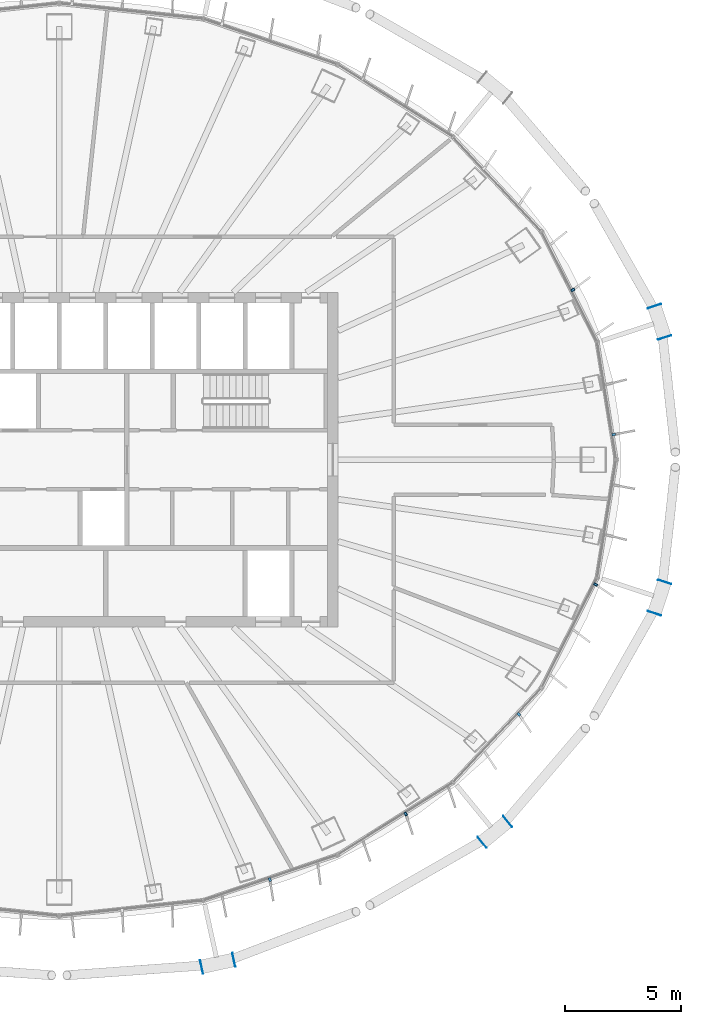
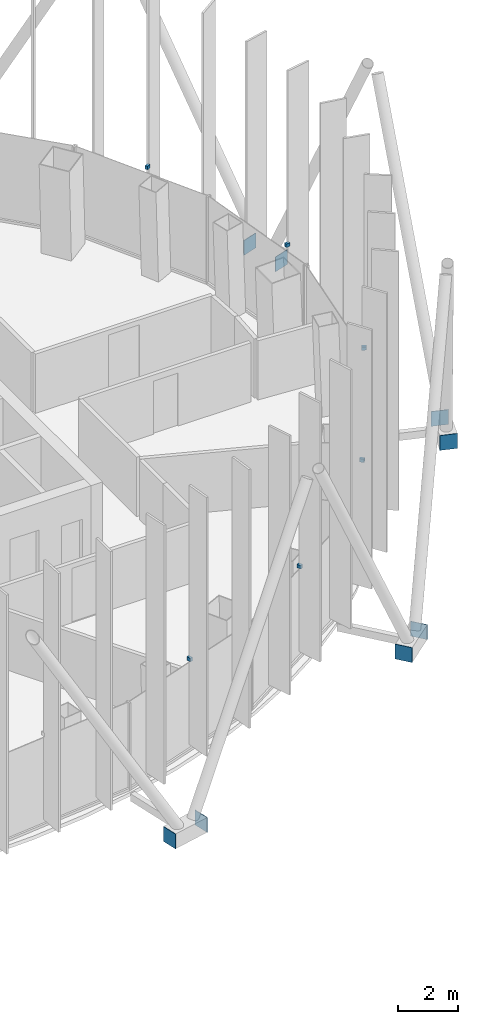
# One storey, part 13 of 18: 14 discrete accessories.
"""IFC4 building model written with IfcOpenShell, lengths in metres."""

from ifc_helpers import new_model, si_unit, direction, frame, origin, origin_2d, place, context, subcontext, project, spatial, rectangle, extrude, material, layer, layer_set, type_object, element, save


model = new_model("IFC4")

# Units and contexts
model_context = context("Model", 3, precision=1e-05, world=origin(), true_north=direction((0.0, 1.0)))
body_context = subcontext(model_context, "Body", "Model", "MODEL_VIEW")
ifc_project = project(units=[si_unit("LENGTHUNIT", "METRE"), si_unit("AREAUNIT", "SQUARE_METRE"), si_unit("VOLUMEUNIT", "CUBIC_METRE"), si_unit("PLANEANGLEUNIT", "RADIAN"), si_unit("MASSUNIT", "GRAM", prefix="KILO")], contexts=[model_context])

# Site, building, storey
site_placement = place(None, origin())
site = spatial("IfcSite", under=ifc_project, at=site_placement, CompositionType="ELEMENT")
building_placement = place(site_placement, origin())
building = spatial("IfcBuilding", under=site, at=building_placement, Name="Siaravel Broadcast Tower", CompositionType="ELEMENT")
storey_placement = place(building_placement, frame((0.0, 0.0, 157.10009765625)))
storey = spatial("IfcBuildingStorey", under=building, at=storey_placement, Name="L37", CompositionType="ELEMENT", Elevation=157.10009765625)

# Discrete accessories
ifc_material_1 = material(Name="Stainless steel 316", Category="steel")
discrete_accessory_type_1 = type_object("IfcDiscreteAccessoryType", Name="Stainless steel fin bracket", PredefinedType="USERDEFINED", material=ifc_material_1)
for number, where, z_axis, x_axis, name in (
    (1, (23.859619140625, 1.083984375, 3.68017578125), (0.0, 0.0, 1.0), (0.987329198, 0.158685394, 0.0), "Fin bracket L37-01"),
    (2, (22.099609375, 7.30859375, 3.68017578125), (0.0, 0.0, 1.0), (0.892392939, 0.451259174, 0.0), "Fin bracket L37-04"),
    (3, (9.064208984375, -18.07080078125, 3.68017578125), (0.0, 0.0, 1.0), (0.321300635, -0.946977245, 0.0), "Fin bracket L37-52"),
    (4, (14.91015625, -15.247802734375, 3.68017578125), (0.0, 0.0, 1.0), (0.53215093, -0.846649507, 0.0), "Fin bracket L37-55"),
    (5, (19.779296875, -10.9609375, 3.68017578125), (0.0, 0.0, 1.0), (0.729805608, -0.683654718, 0.0), "Fin bracket L37-58"),
    (6, (23.080322265625, -5.369140625, 3.68017578125), (0.0, 0.0, 1.0), (0.892392939, -0.451259174, 0.0), "Fin bracket L37-61"),
):
    element("IfcDiscreteAccessory", number, at=place(storey_placement, frame(where, z_axis=z_axis, x_axis=x_axis)), inside=storey, type_object=discrete_accessory_type_1, Name=name, ObjectType="BRACKET", PredefinedType="USERDEFINED", context=body_context, shape_type="SweptSolid", body=[
        extrude(rectangle(XDim=0.159912109375, YDim=0.10009765625, at=origin_2d()), origin(), (0.0, 0.0, 1.0), 0.139892578125),
    ])
ifc_material_2 = material(Name="Steel S355", Category="steel")
ifc_layer = layer(ifc_material_2, 0.02001953125)
ifc_layer_set = layer_set([ifc_layer], Name="Steel S355")
discrete_accessory_type_2 = type_object("IfcDiscreteAccessoryType", Name="Steel end plate 20 mm", PredefinedType="USERDEFINED", material=ifc_layer_set)
for number, where, z_axis, x_axis, name in (
    (7, (25.609130859375, 6.60986328125, -0.500244140625), (0.0, 0.0, 1.0), (-0.310910334, 0.950439248, 0.0), "End plate R16 station 03A"),
    (8, (26.050537109375, 5.260498046875, -0.500244140625), (0.0, 0.0, 1.0), (-0.310910334, 0.950439248, 0.0), "End plate R16 station 03B"),
    (9, (7.509765625, -21.520751953125, -0.500244140625), (0.0, 0.0, 1.0), (0.976750917, 0.214377344, 0.0), "End plate R16 station 57A"),
    (10, (6.123046875, -21.8251953125, -0.500244140625), (0.0, 0.0, 1.0), (0.976750917, 0.214377344, 0.0), "End plate R16 station 57B"),
    (11, (19.29638671875, -15.568115234375, -0.500244140625), (0.0, 0.0, 1.0), (0.773604694, 0.633668508, 0.0), "End plate R16 station 63A"),
    (12, (18.1982421875, -16.4677734375, -0.500244140625), (0.0, 0.0, 1.0), (0.773604694, 0.633668508, 0.0), "End plate R16 station 63B"),
    (13, (26.050537109375, -5.260498046875, -0.500244140625), (0.0, 0.0, 1.0), (0.310910334, 0.950439248, 0.0), "End plate R16 station 69A"),
    (14, (25.609130859375, -6.60986328125, -0.500244140625), (0.0, 0.0, 1.0), (0.310910334, 0.950439248, 0.0), "End plate R16 station 69B"),
):
    element("IfcDiscreteAccessory", number, at=place(storey_placement, frame(where, z_axis=z_axis, x_axis=x_axis)), inside=storey, type_object=discrete_accessory_type_2, Name=name, ObjectType="END PLATE", PredefinedType="USERDEFINED", context=body_context, shape_type="SweptSolid", body=[
        extrude(rectangle(XDim=0.02001953125, YDim=0.60009765625, at=origin_2d()), origin(), (0.0, 0.0, 1.0), 0.60009765625),
    ])

save(model, "model.ifc")
